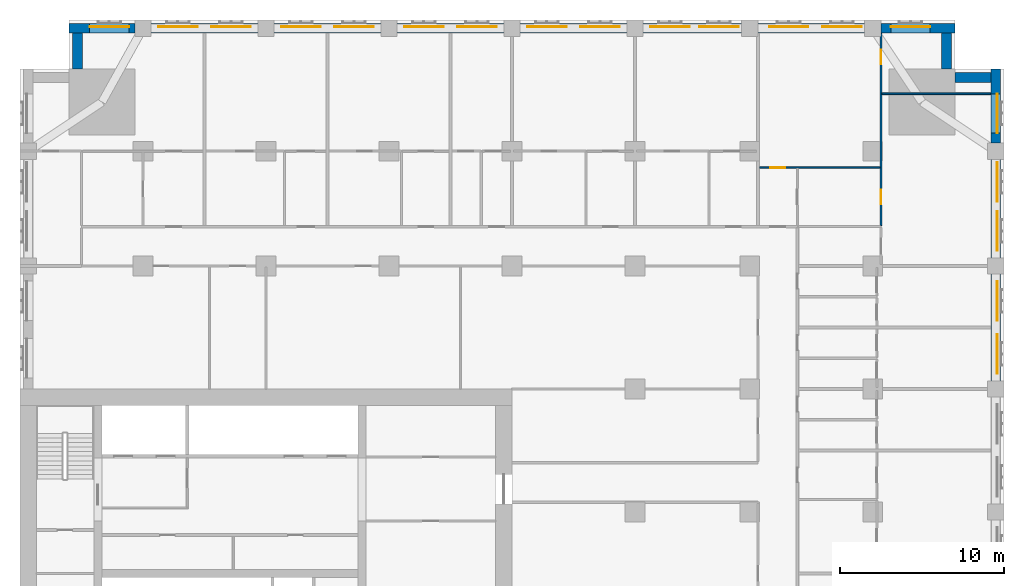
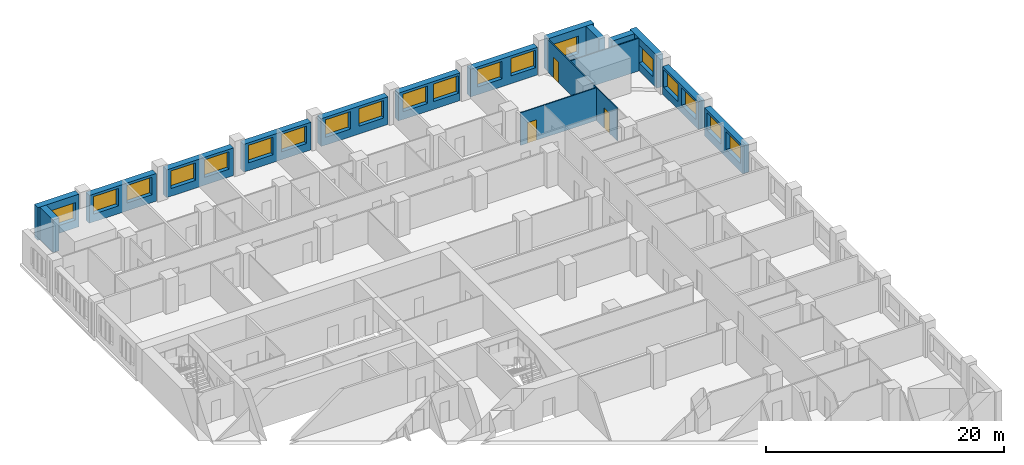
# One storey, part 11 of 14: 19 windows, 17 walls, 3 doors, 22 openings.
"""IFC4 building model written with IfcOpenShell, lengths in metres."""

from ifc_helpers import new_model, si_unit, direction, frame, frame_2d, origin, place, context, subcontext, project, spatial, rectangle, extrude, material, layer, layer_set, type_object, element, fill, save


model = new_model("IFC4")

# Units and contexts
model_context = context("Model", 3, precision=1e-05, world=origin(), true_north=direction((0.0, 1.0)))
body_context = subcontext(model_context, "Body", "Model", "MODEL_VIEW")
ifc_project = project(units=[si_unit("LENGTHUNIT", "METRE"), si_unit("AREAUNIT", "SQUARE_METRE"), si_unit("VOLUMEUNIT", "CUBIC_METRE"), si_unit("PLANEANGLEUNIT", "RADIAN"), si_unit("MASSUNIT", "GRAM", prefix="KILO")], contexts=[model_context])

# Site, building, storey
site_placement = place(None, origin())
site = spatial("IfcSite", under=ifc_project, at=site_placement, CompositionType="ELEMENT")
building_placement = place(site_placement, origin())
building = spatial("IfcBuilding", under=site, at=building_placement, Name="Tamorin Gate", CompositionType="ELEMENT")
storey_placement = place(building_placement, frame((0.0, 0.0, 44.800048828125)))
storey = spatial("IfcBuildingStorey", under=building, at=storey_placement, Name="L09", CompositionType="ELEMENT", Elevation=44.800048828125)

# Wall, openings, windows
ifc_material_1 = material(Name="Precast concrete C40/50", Category="concrete")
ifc_layer_1 = layer(ifc_material_1, 0.60009765625)
ifc_layer_set_1 = layer_set([ifc_layer_1], Name="Precast concrete C40/50")
wall_type_1 = type_object("IfcWallType", Name="Board-marked concrete facade panel 600", PredefinedType="SOLIDWALL", material=ifc_layer_set_1)
wall_1_placement = place(storey_placement, frame((89.5, 83.0, 0.0), z_axis=(0.0, 0.0, 1.0), x_axis=(0.0, 1.0, 0.0)))
wall_1 = element("IfcWall", 1, at=wall_1_placement, inside=storey, type_object=wall_type_1, Name="Facade panel", PredefinedType="SOLIDWALL", context=body_context, shape_type="SweptSolid", body=[
    extrude(rectangle(XDim=6.5, YDim=0.60009765625, at=frame_2d((3.25, 0.0))), origin(), (0.0, 0.0, 1.0), 2.849853515625),
])
opening_1_placement = place(wall_1_placement, frame((0.425048828125, 0.0, 0.800048828125)))
opening_1 = element("IfcOpeningElement", 2, at=opening_1_placement, cuts=wall_1, Name="Opening WN1", PredefinedType="OPENING", context=body_context, shape_type="SweptSolid", body=[
    extrude(rectangle(XDim=2.39990234375, YDim=1.800048828125, at=frame_2d((1.199951171875, 0.89990234375))), frame((0.0, 0.31005859375, 0.0), z_axis=(0.0, -1.0, 0.0), x_axis=(1.0, 0.0, 0.0)), (0.0, 0.0, 1.0), 0.6201171875),
])
opening_2_placement = place(wall_1_placement, frame((3.675048828125, 0.0, 0.800048828125)))
opening_2 = element("IfcOpeningElement", 3, at=opening_2_placement, cuts=wall_1, Name="Opening WN1", PredefinedType="OPENING", context=body_context, shape_type="SweptSolid", body=[
    extrude(rectangle(XDim=2.39990234375, YDim=1.800048828125, at=frame_2d((1.199951171875, 0.89990234375))), frame((0.0, 0.31005859375, 0.0), z_axis=(0.0, -1.0, 0.0), x_axis=(1.0, 0.0, 0.0)), (0.0, 0.0, 1.0), 0.6201171875),
])
ifc_material_2 = material(Name="Clear glass in aluminium frame", Category="aluminium")
window_type = type_object("IfcWindowType", Name="Deep-set window 2400x1800", PartitioningType="SINGLE_PANEL", PredefinedType="WINDOW", material=ifc_material_2)
window_1_placement = place(opening_1_placement, origin())
window_1 = element("IfcWindow", 4, at=window_1_placement, inside=storey, type_object=window_type, Name="Deep-set window", OverallHeight=1.800048828125, OverallWidth=2.39990234375, PartitioningType="SINGLE_PANEL", PredefinedType="WINDOW", context=body_context, shape_type="SweptSolid", body=[
    extrude(rectangle(XDim=2.39990234375, YDim=1.800048828125, at=frame_2d((1.199951171875, 0.89990234375))), frame((0.0, -0.070068359375, 0.0), z_axis=(0.0, -1.0, 0.0), x_axis=(1.0, 0.0, 0.0)), (0.0, 0.0, 1.0), 0.06005859375),
])
fill(opening_1, window_1)
window_2_placement = place(opening_2_placement, origin())
window_2 = element("IfcWindow", 5, at=window_2_placement, inside=storey, type_object=window_type, Name="Deep-set window", OverallHeight=1.800048828125, OverallWidth=2.39990234375, PartitioningType="SINGLE_PANEL", PredefinedType="WINDOW", context=body_context, shape_type="SweptSolid", body=[
    extrude(rectangle(XDim=2.39990234375, YDim=1.800048828125, at=frame_2d((1.199951171875, 0.89990234375))), frame((0.0, -0.070068359375, 0.0), z_axis=(0.0, -1.0, 0.0), x_axis=(1.0, 0.0, 0.0)), (0.0, 0.0, 1.0), 0.06005859375),
])
fill(opening_2, window_2)

wall_2_placement = place(storey_placement, frame((89.5, 90.5, 0.0), z_axis=(0.0, 0.0, 1.0), x_axis=(0.0, 1.0, 0.0)))
wall_2 = element("IfcWall", 6, at=wall_2_placement, inside=storey, type_object=wall_type_1, Name="Facade panel", PredefinedType="SOLIDWALL", context=body_context, shape_type="SweptSolid", body=[
    extrude(rectangle(XDim=6.0, YDim=0.60009765625, at=frame_2d((3.0, 0.0))), origin(), (0.0, 0.0, 1.0), 2.849853515625),
])
opening_3_placement = place(wall_2_placement, frame((0.425048828125, 0.0, 0.800048828125)))
opening_3 = element("IfcOpeningElement", 7, at=opening_3_placement, cuts=wall_2, Name="Opening WN1", PredefinedType="OPENING", context=body_context, shape_type="SweptSolid", body=[
    extrude(rectangle(XDim=2.39990234375, YDim=1.800048828125, at=frame_2d((1.199951171875, 0.89990234375))), frame((0.0, 0.31005859375, 0.0), z_axis=(0.0, -1.0, 0.0), x_axis=(1.0, 0.0, 0.0)), (0.0, 0.0, 1.0), 0.6201171875),
])
opening_4_placement = place(wall_2_placement, frame((3.425048828125, 0.0, 0.800048828125)))
opening_4 = element("IfcOpeningElement", 8, at=opening_4_placement, cuts=wall_2, Name="Opening WN1", PredefinedType="OPENING", context=body_context, shape_type="SweptSolid", body=[
    extrude(rectangle(XDim=2.39990234375, YDim=1.800048828125, at=frame_2d((1.199951171875, 0.89990234375))), frame((0.0, 0.31005859375, 0.0), z_axis=(0.0, -1.0, 0.0), x_axis=(1.0, 0.0, 0.0)), (0.0, 0.0, 1.0), 0.6201171875),
])
window_3_placement = place(opening_3_placement, origin())
window_3 = element("IfcWindow", 9, at=window_3_placement, inside=storey, type_object=window_type, Name="Deep-set window", OverallHeight=1.800048828125, OverallWidth=2.39990234375, PartitioningType="SINGLE_PANEL", PredefinedType="WINDOW", context=body_context, shape_type="SweptSolid", body=[
    extrude(rectangle(XDim=2.39990234375, YDim=1.800048828125, at=frame_2d((1.199951171875, 0.89990234375))), frame((0.0, -0.070068359375, 0.0), z_axis=(0.0, -1.0, 0.0), x_axis=(1.0, 0.0, 0.0)), (0.0, 0.0, 1.0), 0.06005859375),
])
fill(opening_3, window_3)
window_4_placement = place(opening_4_placement, origin())
window_4 = element("IfcWindow", 10, at=window_4_placement, inside=storey, type_object=window_type, Name="Deep-set window", OverallHeight=1.800048828125, OverallWidth=2.39990234375, PartitioningType="SINGLE_PANEL", PredefinedType="WINDOW", context=body_context, shape_type="SweptSolid", body=[
    extrude(rectangle(XDim=2.39990234375, YDim=1.800048828125, at=frame_2d((1.199951171875, 0.89990234375))), frame((0.0, -0.070068359375, 0.0), z_axis=(0.0, -1.0, 0.0), x_axis=(1.0, 0.0, 0.0)), (0.0, 0.0, 1.0), 0.06005859375),
])
fill(opening_4, window_4)

# Wall, opening, window
wall_3_placement = place(storey_placement, frame((89.5, 97.5, 0.0), z_axis=(0.0, 0.0, 1.0), x_axis=(0.0, 1.0, 0.0)))
wall_3 = element("IfcWall", 11, at=wall_3_placement, inside=storey, type_object=wall_type_1, Name="Facade panel", PredefinedType="SOLIDWALL", context=body_context, shape_type="SweptSolid", body=[
    extrude(rectangle(XDim=4.5, YDim=0.60009765625, at=frame_2d((2.25, 0.0))), origin(), (0.0, 0.0, 1.0), 3.349853515625),
])
opening_5_placement = place(wall_3_placement, frame((0.60009765625, 0.0, 0.800048828125)))
opening_5 = element("IfcOpeningElement", 12, at=opening_5_placement, cuts=wall_3, Name="Opening WN1", PredefinedType="OPENING", context=body_context, shape_type="SweptSolid", body=[
    extrude(rectangle(XDim=2.39990234375, YDim=1.800048828125, at=frame_2d((1.199951171875, 0.89990234375))), frame((0.0, 0.31005859375, 0.0), z_axis=(0.0, -1.0, 0.0), x_axis=(1.0, 0.0, 0.0)), (0.0, 0.0, 1.0), 0.6201171875),
])
window_5_placement = place(opening_5_placement, origin())
window_5 = element("IfcWindow", 13, at=window_5_placement, inside=storey, type_object=window_type, Name="Deep-set window", OverallHeight=1.800048828125, OverallWidth=2.39990234375, PartitioningType="SINGLE_PANEL", PredefinedType="WINDOW", context=body_context, shape_type="SweptSolid", body=[
    extrude(rectangle(XDim=2.39990234375, YDim=1.800048828125, at=frame_2d((1.199951171875, 0.89990234375))), frame((0.0, -0.070068359375, 0.0), z_axis=(0.0, -1.0, 0.0), x_axis=(1.0, 0.0, 0.0)), (0.0, 0.0, 1.0), 0.06005859375),
])
fill(opening_5, window_5)

# Walls
for number, where, z_axis, x_axis, name in (
    (14, (89.199951171875, 101.5, 0.0), (0.0, 0.0, 1.0), (-1.0, 0.0, 0.0), "Facade panel"),
    (15, (86.5, 102.0, 0.0), (0.0, 0.0, 1.0), (0.0, 1.0, 0.0), "Facade panel"),
):
    element("IfcWall", number, at=place(storey_placement, frame(where, z_axis=z_axis, x_axis=x_axis)), inside=storey, type_object=wall_type_1, Name=name, PredefinedType="SOLIDWALL", context=body_context, shape_type="SweptSolid", body=[
        extrude(rectangle(XDim=2.199951171875, YDim=0.60009765625, at=frame_2d((1.10009765625, 0.0))), origin(), (0.0, 0.0, 1.0), 3.349853515625),
    ])

# Wall, opening, window
wall_4_placement = place(storey_placement, frame((87.0, 104.5, 0.0), z_axis=(0.0, 0.0, 1.0), x_axis=(-1.0, 0.0, 0.0)))
wall_4 = element("IfcWall", 16, at=wall_4_placement, inside=storey, type_object=wall_type_1, Name="Facade panel", PredefinedType="SOLIDWALL", context=body_context, shape_type="SweptSolid", body=[
    extrude(rectangle(XDim=4.5, YDim=0.60009765625, at=frame_2d((2.25, 0.0))), origin(), (0.0, 0.0, 1.0), 3.349853515625),
])
opening_6_placement = place(wall_4_placement, frame((1.5, 0.0, 0.800048828125)))
opening_6 = element("IfcOpeningElement", 17, at=opening_6_placement, cuts=wall_4, Name="Opening WN1", PredefinedType="OPENING", context=body_context, shape_type="SweptSolid", body=[
    extrude(rectangle(XDim=2.39990234375, YDim=1.800048828125, at=frame_2d((1.199951171875, 0.89990234375))), frame((0.0, 0.31005859375, 0.0), z_axis=(0.0, -1.0, 0.0), x_axis=(1.0, 0.0, 0.0)), (0.0, 0.0, 1.0), 0.6201171875),
])
window_6_placement = place(opening_6_placement, origin())
window_6 = element("IfcWindow", 18, at=window_6_placement, inside=storey, type_object=window_type, Name="Deep-set window", OverallHeight=1.800048828125, OverallWidth=2.39990234375, PartitioningType="SINGLE_PANEL", PredefinedType="WINDOW", context=body_context, shape_type="SweptSolid", body=[
    extrude(rectangle(XDim=2.39990234375, YDim=1.800048828125, at=frame_2d((1.199951171875, 0.89990234375))), frame((0.0, -0.070068359375, 0.0), z_axis=(0.0, -1.0, 0.0), x_axis=(1.0, 0.0, 0.0)), (0.0, 0.0, 1.0), 0.06005859375),
])
fill(opening_6, window_6)

# Wall, openings, windows
wall_5_placement = place(storey_placement, frame((81.5, 104.5, 0.0), z_axis=(0.0, 0.0, 1.0), x_axis=(-1.0, 0.0, 0.0)))
wall_5 = element("IfcWall", 19, at=wall_5_placement, inside=storey, type_object=wall_type_1, Name="Facade panel", PredefinedType="SOLIDWALL", context=body_context, shape_type="SweptSolid", body=[
    extrude(rectangle(XDim=6.5, YDim=0.60009765625, at=frame_2d((3.25, 0.0))), origin(), (0.0, 0.0, 1.0), 2.849853515625),
])
opening_7_placement = place(wall_5_placement, frame((3.425048828125, 0.0, 0.800048828125)))
opening_7 = element("IfcOpeningElement", 20, at=opening_7_placement, cuts=wall_5, Name="Opening WN1", PredefinedType="OPENING", context=body_context, shape_type="SweptSolid", body=[
    extrude(rectangle(XDim=2.39990234375, YDim=1.800048828125, at=frame_2d((1.199951171875, 0.89990234375))), frame((0.0, 0.31005859375, 0.0), z_axis=(0.0, -1.0, 0.0), x_axis=(1.0, 0.0, 0.0)), (0.0, 0.0, 1.0), 0.6201171875),
])
opening_8_placement = place(wall_5_placement, frame((0.175048828125, 0.0, 0.800048828125)))
opening_8 = element("IfcOpeningElement", 21, at=opening_8_placement, cuts=wall_5, Name="Opening WN1", PredefinedType="OPENING", context=body_context, shape_type="SweptSolid", body=[
    extrude(rectangle(XDim=2.39990234375, YDim=1.800048828125, at=frame_2d((1.199951171875, 0.89990234375))), frame((0.0, 0.31005859375, 0.0), z_axis=(0.0, -1.0, 0.0), x_axis=(1.0, 0.0, 0.0)), (0.0, 0.0, 1.0), 0.6201171875),
])
window_7_placement = place(opening_7_placement, origin())
window_7 = element("IfcWindow", 22, at=window_7_placement, inside=storey, type_object=window_type, Name="Deep-set window", OverallHeight=1.800048828125, OverallWidth=2.39990234375, PartitioningType="SINGLE_PANEL", PredefinedType="WINDOW", context=body_context, shape_type="SweptSolid", body=[
    extrude(rectangle(XDim=2.39990234375, YDim=1.800048828125, at=frame_2d((1.199951171875, 0.89990234375))), frame((0.0, -0.070068359375, 0.0), z_axis=(0.0, -1.0, 0.0), x_axis=(1.0, 0.0, 0.0)), (0.0, 0.0, 1.0), 0.06005859375),
])
fill(opening_7, window_7)
window_8_placement = place(opening_8_placement, origin())
window_8 = element("IfcWindow", 23, at=window_8_placement, inside=storey, type_object=window_type, Name="Deep-set window", OverallHeight=1.800048828125, OverallWidth=2.39990234375, PartitioningType="SINGLE_PANEL", PredefinedType="WINDOW", context=body_context, shape_type="SweptSolid", body=[
    extrude(rectangle(XDim=2.39990234375, YDim=1.800048828125, at=frame_2d((1.199951171875, 0.89990234375))), frame((0.0, -0.070068359375, 0.0), z_axis=(0.0, -1.0, 0.0), x_axis=(1.0, 0.0, 0.0)), (0.0, 0.0, 1.0), 0.06005859375),
])
fill(opening_8, window_8)

wall_6_placement = place(storey_placement, frame((74.0, 104.5, 0.0), z_axis=(0.0, 0.0, 1.0), x_axis=(-1.0, 0.0, 0.0)))
wall_6 = element("IfcWall", 24, at=wall_6_placement, inside=storey, type_object=wall_type_1, Name="Facade panel", PredefinedType="SOLIDWALL", context=body_context, shape_type="SweptSolid", body=[
    extrude(rectangle(XDim=6.0, YDim=0.60009765625, at=frame_2d((3.0, 0.0))), origin(), (0.0, 0.0, 1.0), 2.849853515625),
])
opening_9_placement = place(wall_6_placement, frame((3.175048828125, 0.0, 0.800048828125)))
opening_9 = element("IfcOpeningElement", 25, at=opening_9_placement, cuts=wall_6, Name="Opening WN1", PredefinedType="OPENING", context=body_context, shape_type="SweptSolid", body=[
    extrude(rectangle(XDim=2.39990234375, YDim=1.800048828125, at=frame_2d((1.199951171875, 0.89990234375))), frame((0.0, 0.31005859375, 0.0), z_axis=(0.0, -1.0, 0.0), x_axis=(1.0, 0.0, 0.0)), (0.0, 0.0, 1.0), 0.6201171875),
])
opening_10_placement = place(wall_6_placement, frame((0.175048828125, 0.0, 0.800048828125)))
opening_10 = element("IfcOpeningElement", 26, at=opening_10_placement, cuts=wall_6, Name="Opening WN1", PredefinedType="OPENING", context=body_context, shape_type="SweptSolid", body=[
    extrude(rectangle(XDim=2.39990234375, YDim=1.800048828125, at=frame_2d((1.199951171875, 0.89990234375))), frame((0.0, 0.31005859375, 0.0), z_axis=(0.0, -1.0, 0.0), x_axis=(1.0, 0.0, 0.0)), (0.0, 0.0, 1.0), 0.6201171875),
])
window_9_placement = place(opening_9_placement, origin())
window_9 = element("IfcWindow", 27, at=window_9_placement, inside=storey, type_object=window_type, Name="Deep-set window", OverallHeight=1.800048828125, OverallWidth=2.39990234375, PartitioningType="SINGLE_PANEL", PredefinedType="WINDOW", context=body_context, shape_type="SweptSolid", body=[
    extrude(rectangle(XDim=2.39990234375, YDim=1.800048828125, at=frame_2d((1.199951171875, 0.89990234375))), frame((0.0, -0.070068359375, 0.0), z_axis=(0.0, -1.0, 0.0), x_axis=(1.0, 0.0, 0.0)), (0.0, 0.0, 1.0), 0.06005859375),
])
fill(opening_9, window_9)
window_10_placement = place(opening_10_placement, origin())
window_10 = element("IfcWindow", 28, at=window_10_placement, inside=storey, type_object=window_type, Name="Deep-set window", OverallHeight=1.800048828125, OverallWidth=2.39990234375, PartitioningType="SINGLE_PANEL", PredefinedType="WINDOW", context=body_context, shape_type="SweptSolid", body=[
    extrude(rectangle(XDim=2.39990234375, YDim=1.800048828125, at=frame_2d((1.199951171875, 0.89990234375))), frame((0.0, -0.070068359375, 0.0), z_axis=(0.0, -1.0, 0.0), x_axis=(1.0, 0.0, 0.0)), (0.0, 0.0, 1.0), 0.06005859375),
])
fill(opening_10, window_10)

wall_7_placement = place(storey_placement, frame((67.0, 104.5, 0.0), z_axis=(0.0, 0.0, 1.0), x_axis=(-1.0, 0.0, 0.0)))
wall_7 = element("IfcWall", 29, at=wall_7_placement, inside=storey, type_object=wall_type_1, Name="Facade panel", PredefinedType="SOLIDWALL", context=body_context, shape_type="SweptSolid", body=[
    extrude(rectangle(XDim=6.5, YDim=0.60009765625, at=frame_2d((3.25, 0.0))), origin(), (0.0, 0.0, 1.0), 2.849853515625),
])
opening_11_placement = place(wall_7_placement, frame((3.675048828125, 0.0, 0.800048828125)))
opening_11 = element("IfcOpeningElement", 30, at=opening_11_placement, cuts=wall_7, Name="Opening WN1", PredefinedType="OPENING", context=body_context, shape_type="SweptSolid", body=[
    extrude(rectangle(XDim=2.39990234375, YDim=1.800048828125, at=frame_2d((1.199951171875, 0.89990234375))), frame((0.0, 0.31005859375, 0.0), z_axis=(0.0, -1.0, 0.0), x_axis=(1.0, 0.0, 0.0)), (0.0, 0.0, 1.0), 0.6201171875),
])
opening_12_placement = place(wall_7_placement, frame((0.425048828125, 0.0, 0.800048828125)))
opening_12 = element("IfcOpeningElement", 31, at=opening_12_placement, cuts=wall_7, Name="Opening WN1", PredefinedType="OPENING", context=body_context, shape_type="SweptSolid", body=[
    extrude(rectangle(XDim=2.39990234375, YDim=1.800048828125, at=frame_2d((1.199951171875, 0.89990234375))), frame((0.0, 0.31005859375, 0.0), z_axis=(0.0, -1.0, 0.0), x_axis=(1.0, 0.0, 0.0)), (0.0, 0.0, 1.0), 0.6201171875),
])
window_11_placement = place(opening_11_placement, origin())
window_11 = element("IfcWindow", 32, at=window_11_placement, inside=storey, type_object=window_type, Name="Deep-set window", OverallHeight=1.800048828125, OverallWidth=2.39990234375, PartitioningType="SINGLE_PANEL", PredefinedType="WINDOW", context=body_context, shape_type="SweptSolid", body=[
    extrude(rectangle(XDim=2.39990234375, YDim=1.800048828125, at=frame_2d((1.199951171875, 0.89990234375))), frame((0.0, -0.070068359375, 0.0), z_axis=(0.0, -1.0, 0.0), x_axis=(1.0, 0.0, 0.0)), (0.0, 0.0, 1.0), 0.06005859375),
])
fill(opening_11, window_11)
window_12_placement = place(opening_12_placement, origin())
window_12 = element("IfcWindow", 33, at=window_12_placement, inside=storey, type_object=window_type, Name="Deep-set window", OverallHeight=1.800048828125, OverallWidth=2.39990234375, PartitioningType="SINGLE_PANEL", PredefinedType="WINDOW", context=body_context, shape_type="SweptSolid", body=[
    extrude(rectangle(XDim=2.39990234375, YDim=1.800048828125, at=frame_2d((1.199951171875, 0.89990234375))), frame((0.0, -0.070068359375, 0.0), z_axis=(0.0, -1.0, 0.0), x_axis=(1.0, 0.0, 0.0)), (0.0, 0.0, 1.0), 0.06005859375),
])
fill(opening_12, window_12)

wall_8_placement = place(storey_placement, frame((59.5, 104.5, 0.0), z_axis=(0.0, 0.0, 1.0), x_axis=(-1.0, 0.0, 0.0)))
wall_8 = element("IfcWall", 34, at=wall_8_placement, inside=storey, type_object=wall_type_1, Name="Facade panel", PredefinedType="SOLIDWALL", context=body_context, shape_type="SweptSolid", body=[
    extrude(rectangle(XDim=6.5, YDim=0.60009765625, at=frame_2d((3.25, 0.0))), origin(), (0.0, 0.0, 1.0), 2.849853515625),
])
opening_13_placement = place(wall_8_placement, frame((3.675048828125, 0.0, 0.800048828125)))
opening_13 = element("IfcOpeningElement", 35, at=opening_13_placement, cuts=wall_8, Name="Opening WN1", PredefinedType="OPENING", context=body_context, shape_type="SweptSolid", body=[
    extrude(rectangle(XDim=2.39990234375, YDim=1.800048828125, at=frame_2d((1.199951171875, 0.89990234375))), frame((0.0, 0.31005859375, 0.0), z_axis=(0.0, -1.0, 0.0), x_axis=(1.0, 0.0, 0.0)), (0.0, 0.0, 1.0), 0.6201171875),
])
opening_14_placement = place(wall_8_placement, frame((0.425048828125, 0.0, 0.800048828125)))
opening_14 = element("IfcOpeningElement", 36, at=opening_14_placement, cuts=wall_8, Name="Opening WN1", PredefinedType="OPENING", context=body_context, shape_type="SweptSolid", body=[
    extrude(rectangle(XDim=2.39990234375, YDim=1.800048828125, at=frame_2d((1.199951171875, 0.89990234375))), frame((0.0, 0.31005859375, 0.0), z_axis=(0.0, -1.0, 0.0), x_axis=(1.0, 0.0, 0.0)), (0.0, 0.0, 1.0), 0.6201171875),
])
window_13_placement = place(opening_13_placement, origin())
window_13 = element("IfcWindow", 37, at=window_13_placement, inside=storey, type_object=window_type, Name="Deep-set window", OverallHeight=1.800048828125, OverallWidth=2.39990234375, PartitioningType="SINGLE_PANEL", PredefinedType="WINDOW", context=body_context, shape_type="SweptSolid", body=[
    extrude(rectangle(XDim=2.39990234375, YDim=1.800048828125, at=frame_2d((1.199951171875, 0.89990234375))), frame((0.0, -0.070068359375, 0.0), z_axis=(0.0, -1.0, 0.0), x_axis=(1.0, 0.0, 0.0)), (0.0, 0.0, 1.0), 0.06005859375),
])
fill(opening_13, window_13)
window_14_placement = place(opening_14_placement, origin())
window_14 = element("IfcWindow", 38, at=window_14_placement, inside=storey, type_object=window_type, Name="Deep-set window", OverallHeight=1.800048828125, OverallWidth=2.39990234375, PartitioningType="SINGLE_PANEL", PredefinedType="WINDOW", context=body_context, shape_type="SweptSolid", body=[
    extrude(rectangle(XDim=2.39990234375, YDim=1.800048828125, at=frame_2d((1.199951171875, 0.89990234375))), frame((0.0, -0.070068359375, 0.0), z_axis=(0.0, -1.0, 0.0), x_axis=(1.0, 0.0, 0.0)), (0.0, 0.0, 1.0), 0.06005859375),
])
fill(opening_14, window_14)

wall_9_placement = place(storey_placement, frame((52.0, 104.5, 0.0), z_axis=(0.0, 0.0, 1.0), x_axis=(-1.0, 0.0, 0.0)))
wall_9 = element("IfcWall", 39, at=wall_9_placement, inside=storey, type_object=wall_type_1, Name="Facade panel", PredefinedType="SOLIDWALL", context=body_context, shape_type="SweptSolid", body=[
    extrude(rectangle(XDim=6.5, YDim=0.60009765625, at=frame_2d((3.25, 0.0))), origin(), (0.0, 0.0, 1.0), 2.849853515625),
])
opening_15_placement = place(wall_9_placement, frame((3.675048828125, 0.0, 0.800048828125)))
opening_15 = element("IfcOpeningElement", 40, at=opening_15_placement, cuts=wall_9, Name="Opening WN1", PredefinedType="OPENING", context=body_context, shape_type="SweptSolid", body=[
    extrude(rectangle(XDim=2.39990234375, YDim=1.800048828125, at=frame_2d((1.199951171875, 0.89990234375))), frame((0.0, 0.31005859375, 0.0), z_axis=(0.0, -1.0, 0.0), x_axis=(1.0, 0.0, 0.0)), (0.0, 0.0, 1.0), 0.6201171875),
])
opening_16_placement = place(wall_9_placement, frame((0.425048828125, 0.0, 0.800048828125)))
opening_16 = element("IfcOpeningElement", 41, at=opening_16_placement, cuts=wall_9, Name="Opening WN1", PredefinedType="OPENING", context=body_context, shape_type="SweptSolid", body=[
    extrude(rectangle(XDim=2.39990234375, YDim=1.800048828125, at=frame_2d((1.199951171875, 0.89990234375))), frame((0.0, 0.31005859375, 0.0), z_axis=(0.0, -1.0, 0.0), x_axis=(1.0, 0.0, 0.0)), (0.0, 0.0, 1.0), 0.6201171875),
])
window_15_placement = place(opening_15_placement, origin())
window_15 = element("IfcWindow", 42, at=window_15_placement, inside=storey, type_object=window_type, Name="Deep-set window", OverallHeight=1.800048828125, OverallWidth=2.39990234375, PartitioningType="SINGLE_PANEL", PredefinedType="WINDOW", context=body_context, shape_type="SweptSolid", body=[
    extrude(rectangle(XDim=2.39990234375, YDim=1.800048828125, at=frame_2d((1.199951171875, 0.89990234375))), frame((0.0, -0.070068359375, 0.0), z_axis=(0.0, -1.0, 0.0), x_axis=(1.0, 0.0, 0.0)), (0.0, 0.0, 1.0), 0.06005859375),
])
fill(opening_15, window_15)
window_16_placement = place(opening_16_placement, origin())
window_16 = element("IfcWindow", 43, at=window_16_placement, inside=storey, type_object=window_type, Name="Deep-set window", OverallHeight=1.800048828125, OverallWidth=2.39990234375, PartitioningType="SINGLE_PANEL", PredefinedType="WINDOW", context=body_context, shape_type="SweptSolid", body=[
    extrude(rectangle(XDim=2.39990234375, YDim=1.800048828125, at=frame_2d((1.199951171875, 0.89990234375))), frame((0.0, -0.070068359375, 0.0), z_axis=(0.0, -1.0, 0.0), x_axis=(1.0, 0.0, 0.0)), (0.0, 0.0, 1.0), 0.06005859375),
])
fill(opening_16, window_16)

wall_10_placement = place(storey_placement, frame((44.5, 104.5, 0.0), z_axis=(0.0, 0.0, 1.0), x_axis=(-1.0, 0.0, 0.0)))
wall_10 = element("IfcWall", 44, at=wall_10_placement, inside=storey, type_object=wall_type_1, Name="Facade panel", PredefinedType="SOLIDWALL", context=body_context, shape_type="SweptSolid", body=[
    extrude(rectangle(XDim=6.5, YDim=0.60009765625, at=frame_2d((3.25, 0.0))), origin(), (0.0, 0.0, 1.0), 2.849853515625),
])
opening_17_placement = place(wall_10_placement, frame((3.675048828125, 0.0, 0.800048828125)))
opening_17 = element("IfcOpeningElement", 45, at=opening_17_placement, cuts=wall_10, Name="Opening WN1", PredefinedType="OPENING", context=body_context, shape_type="SweptSolid", body=[
    extrude(rectangle(XDim=2.39990234375, YDim=1.800048828125, at=frame_2d((1.199951171875, 0.89990234375))), frame((0.0, 0.31005859375, 0.0), z_axis=(0.0, -1.0, 0.0), x_axis=(1.0, 0.0, 0.0)), (0.0, 0.0, 1.0), 0.6201171875),
])
opening_18_placement = place(wall_10_placement, frame((0.425048828125, 0.0, 0.800048828125)))
opening_18 = element("IfcOpeningElement", 46, at=opening_18_placement, cuts=wall_10, Name="Opening WN1", PredefinedType="OPENING", context=body_context, shape_type="SweptSolid", body=[
    extrude(rectangle(XDim=2.39990234375, YDim=1.800048828125, at=frame_2d((1.199951171875, 0.89990234375))), frame((0.0, 0.31005859375, 0.0), z_axis=(0.0, -1.0, 0.0), x_axis=(1.0, 0.0, 0.0)), (0.0, 0.0, 1.0), 0.6201171875),
])
window_17_placement = place(opening_17_placement, origin())
window_17 = element("IfcWindow", 47, at=window_17_placement, inside=storey, type_object=window_type, Name="Deep-set window", OverallHeight=1.800048828125, OverallWidth=2.39990234375, PartitioningType="SINGLE_PANEL", PredefinedType="WINDOW", context=body_context, shape_type="SweptSolid", body=[
    extrude(rectangle(XDim=2.39990234375, YDim=1.800048828125, at=frame_2d((1.199951171875, 0.89990234375))), frame((0.0, -0.070068359375, 0.0), z_axis=(0.0, -1.0, 0.0), x_axis=(1.0, 0.0, 0.0)), (0.0, 0.0, 1.0), 0.06005859375),
])
fill(opening_17, window_17)
window_18_placement = place(opening_18_placement, origin())
window_18 = element("IfcWindow", 48, at=window_18_placement, inside=storey, type_object=window_type, Name="Deep-set window", OverallHeight=1.800048828125, OverallWidth=2.39990234375, PartitioningType="SINGLE_PANEL", PredefinedType="WINDOW", context=body_context, shape_type="SweptSolid", body=[
    extrude(rectangle(XDim=2.39990234375, YDim=1.800048828125, at=frame_2d((1.199951171875, 0.89990234375))), frame((0.0, -0.070068359375, 0.0), z_axis=(0.0, -1.0, 0.0), x_axis=(1.0, 0.0, 0.0)), (0.0, 0.0, 1.0), 0.06005859375),
])
fill(opening_18, window_18)

# Wall, opening, window
wall_11_placement = place(storey_placement, frame((37.0, 104.5, 0.0), z_axis=(0.0, 0.0, 1.0), x_axis=(-1.0, 0.0, 0.0)))
wall_11 = element("IfcWall", 49, at=wall_11_placement, inside=storey, type_object=wall_type_1, Name="Facade panel", PredefinedType="SOLIDWALL", context=body_context, shape_type="SweptSolid", body=[
    extrude(rectangle(XDim=4.0, YDim=0.60009765625, at=frame_2d((2.0, 0.0))), origin(), (0.0, 0.0, 1.0), 3.349853515625),
])
opening_19_placement = place(wall_11_placement, frame((0.35009765625, 0.0, 0.800048828125)))
opening_19 = element("IfcOpeningElement", 50, at=opening_19_placement, cuts=wall_11, Name="Opening WN1", PredefinedType="OPENING", context=body_context, shape_type="SweptSolid", body=[
    extrude(rectangle(XDim=2.39990234375, YDim=1.800048828125, at=frame_2d((1.199951171875, 0.89990234375))), frame((0.0, 0.31005859375, 0.0), z_axis=(0.0, -1.0, 0.0), x_axis=(1.0, 0.0, 0.0)), (0.0, 0.0, 1.0), 0.6201171875),
])
window_19_placement = place(opening_19_placement, origin())
window_19 = element("IfcWindow", 51, at=window_19_placement, inside=storey, type_object=window_type, Name="Deep-set window", OverallHeight=1.800048828125, OverallWidth=2.39990234375, PartitioningType="SINGLE_PANEL", PredefinedType="WINDOW", context=body_context, shape_type="SweptSolid", body=[
    extrude(rectangle(XDim=2.39990234375, YDim=1.800048828125, at=frame_2d((1.199951171875, 0.89990234375))), frame((0.0, -0.070068359375, 0.0), z_axis=(0.0, -1.0, 0.0), x_axis=(1.0, 0.0, 0.0)), (0.0, 0.0, 1.0), 0.06005859375),
])
fill(opening_19, window_19)

# Wall
wall_12_placement = place(storey_placement, frame((33.5, 104.199951171875, 0.0), z_axis=(0.0, 0.0, 1.0), x_axis=(0.0, -1.0, 0.0)))
element("IfcWall", 52, at=wall_12_placement, inside=storey, type_object=wall_type_1, Name="Facade panel", PredefinedType="SOLIDWALL", context=body_context, shape_type="SweptSolid", body=[
    extrude(rectangle(XDim=2.199951171875, YDim=0.60009765625, at=frame_2d((1.10009765625, 0.0))), origin(), (0.0, 0.0, 1.0), 3.349853515625),
])

# Wall, opening, door
ifc_material_3 = material(Name="Gypsum board partition")
ifc_layer_2 = layer(ifc_material_3, 0.10009765625)
ifc_layer_set_2 = layer_set([ifc_layer_2], Name="Room partition 100")
wall_type_2 = type_object("IfcWallType", Name="Room partition 100", PredefinedType="PARTITIONING", material=ifc_layer_set_2)
wall_13_placement = place(storey_placement, frame((75.10009765625, 96.0, 0.0), z_axis=(0.0, 0.0, 1.0), x_axis=(1.0, 0.0, 0.0)))
wall_13 = element("IfcWall", 53, at=wall_13_placement, inside=storey, type_object=wall_type_2, Name="Room partition 100", PredefinedType="PARTITIONING", context=body_context, shape_type="SweptSolid", body=[
    extrude(rectangle(XDim=7.349853515625, YDim=0.10009765625, at=frame_2d((3.6748046875, 0.0))), origin(), (0.0, 0.0, 1.0), 3.349853515625),
])
opening_20_placement = place(wall_13_placement, frame((0.64990234375, 0.0, 0.0)))
opening_20 = element("IfcOpeningElement", 54, at=opening_20_placement, cuts=wall_13, Name="Opening DH4067", PredefinedType="OPENING", context=body_context, shape_type="SweptSolid", body=[
    extrude(rectangle(XDim=0.89990234375, YDim=2.10009765625, at=frame_2d((0.449951171875, 1.050048828125))), frame((0.0, 0.06005859375, 0.0), z_axis=(0.0, -1.0, 0.0), x_axis=(1.0, 0.0, 0.0)), (0.0, 0.0, 1.0), 0.1201171875),
])
ifc_material_4 = material(Name="Timber door leaf", Category="wood")
door_type = type_object("IfcDoorType", Name="Door 900 x 2100", OperationType="NOTDEFINED", PredefinedType="DOOR", material=ifc_material_4)
door_1_placement = place(opening_20_placement, origin())
door_1 = element("IfcDoor", 55, at=door_1_placement, inside=storey, type_object=door_type, Name="Door DH4067", OperationType="SINGLE_SWING_LEFT", OverallHeight=2.10009765625, OverallWidth=0.89990234375, PredefinedType="DOOR", context=body_context, shape_type="SweptSolid", body=[
    extrude(rectangle(XDim=0.89990234375, YDim=2.10009765625, at=frame_2d((0.449951171875, 1.050048828125))), frame((0.0, 0.02490234375, 0.0), z_axis=(0.0, -1.0, 0.0), x_axis=(1.0, 0.0, 0.0)), (0.0, 0.0, 1.0), 0.050048828125),
])
fill(opening_20, door_1)

# Wall
wall_14_placement = place(storey_placement, frame((82.550048828125, 100.5, 0.0), z_axis=(0.0, 0.0, 1.0), x_axis=(1.0, 0.0, 0.0)))
element("IfcWall", 56, at=wall_14_placement, inside=storey, type_object=wall_type_2, Name="Room partition 100", PredefinedType="PARTITIONING", context=body_context, shape_type="SweptSolid", body=[
    extrude(rectangle(XDim=6.639892578125, YDim=0.10009765625, at=frame_2d((3.31982421875, 0.0))), origin(), (0.0, 0.0, 1.0), 3.349853515625),
])

# Wall, openings, doors
wall_15_placement = place(storey_placement, frame((82.5, 92.46240234375, 0.0), z_axis=(0.0, 0.0, 1.0), x_axis=(0.0, 1.0, 0.0)))
wall_15 = element("IfcWall", 57, at=wall_15_placement, inside=storey, type_object=wall_type_2, Name="Room partition 100", PredefinedType="PARTITIONING", context=body_context, shape_type="SweptSolid", body=[
    extrude(rectangle(XDim=11.7275390625, YDim=0.10009765625, at=frame_2d((5.86376953125, 0.0))), origin(), (0.0, 0.0, 1.0), 3.349853515625),
])
opening_21_placement = place(wall_15_placement, frame((9.83740234375, 0.0, 0.0)))
opening_21 = element("IfcOpeningElement", 58, at=opening_21_placement, cuts=wall_15, Name="Opening DH4069", PredefinedType="OPENING", context=body_context, shape_type="SweptSolid", body=[
    extrude(rectangle(XDim=0.89990234375, YDim=2.10009765625, at=frame_2d((0.449951171875, 1.050048828125))), frame((0.0, 0.06005859375, 0.0), z_axis=(0.0, -1.0, 0.0), x_axis=(1.0, 0.0, 0.0)), (0.0, 0.0, 1.0), 0.1201171875),
])
opening_22_placement = place(wall_15_placement, frame((1.28759765625, 0.0, 0.0)))
opening_22 = element("IfcOpeningElement", 59, at=opening_22_placement, cuts=wall_15, Name="Opening DH4070", PredefinedType="OPENING", context=body_context, shape_type="SweptSolid", body=[
    extrude(rectangle(XDim=0.89990234375, YDim=2.10009765625, at=frame_2d((0.449951171875, 1.050048828125))), frame((0.0, 0.06005859375, 0.0), z_axis=(0.0, -1.0, 0.0), x_axis=(1.0, 0.0, 0.0)), (0.0, 0.0, 1.0), 0.1201171875),
])
door_2_placement = place(opening_21_placement, origin())
door_2 = element("IfcDoor", 60, at=door_2_placement, inside=storey, type_object=door_type, Name="Door DH4069", OperationType="SINGLE_SWING_LEFT", OverallHeight=2.10009765625, OverallWidth=0.89990234375, PredefinedType="DOOR", context=body_context, shape_type="SweptSolid", body=[
    extrude(rectangle(XDim=0.89990234375, YDim=2.10009765625, at=frame_2d((0.449951171875, 1.050048828125))), frame((0.0, 0.02490234375, 0.0), z_axis=(0.0, -1.0, 0.0), x_axis=(1.0, 0.0, 0.0)), (0.0, 0.0, 1.0), 0.050048828125),
])
fill(opening_21, door_2)
door_3_placement = place(opening_22_placement, origin())
door_3 = element("IfcDoor", 61, at=door_3_placement, inside=storey, type_object=door_type, Name="Door DH4070", OperationType="SINGLE_SWING_RIGHT", OverallHeight=2.10009765625, OverallWidth=0.89990234375, PredefinedType="DOOR", context=body_context, shape_type="SweptSolid", body=[
    extrude(rectangle(XDim=0.89990234375, YDim=2.10009765625, at=frame_2d((0.449951171875, 1.050048828125))), frame((0.0, 0.02490234375, 0.0), z_axis=(0.0, -1.0, 0.0), x_axis=(1.0, 0.0, 0.0)), (0.0, 0.0, 1.0), 0.050048828125),
])
fill(opening_22, door_3)

save(model, "model.ifc")
